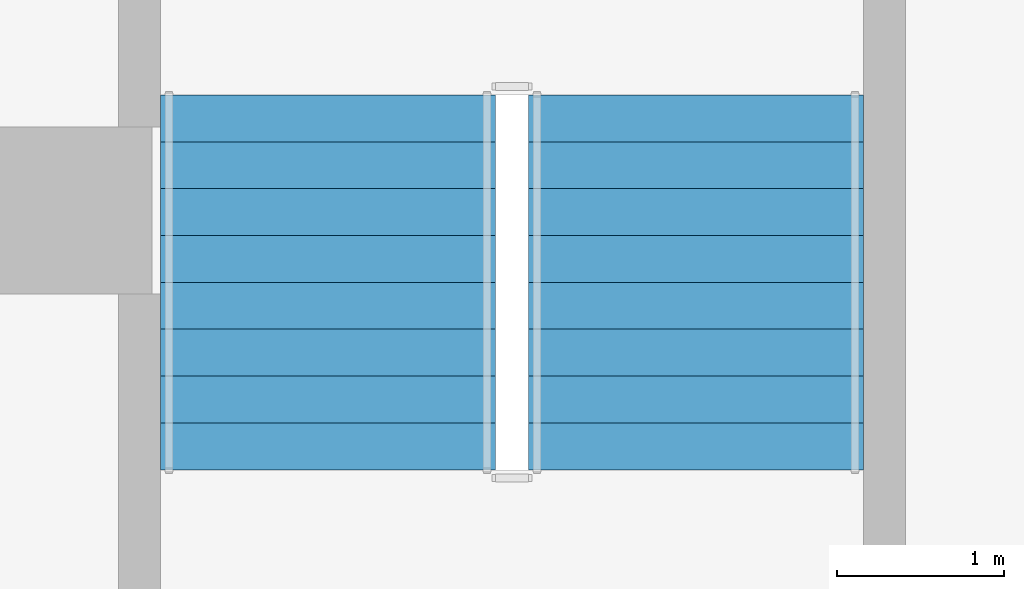
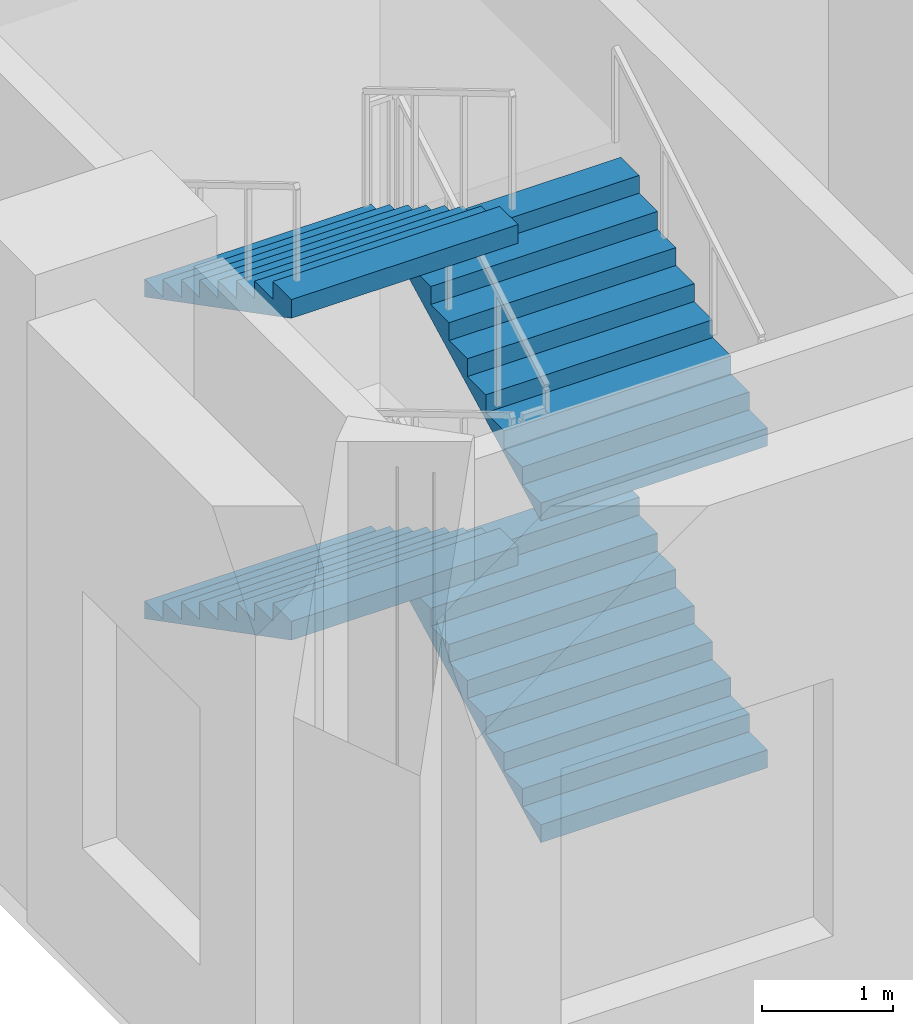
# One storey, part 10 of 19: 4 stair flights, 1 element without a shape of its own.
"""IFC4 building model written with IfcOpenShell, lengths in metres."""

from ifc_helpers import new_model, si_unit, direction, frame, origin, place, context, subcontext, project, spatial, triangles, material, type_object, element, aggregate, save


model = new_model("IFC4")

# Units and contexts
model_context = context("Model", 3, precision=1e-05, world=origin(), true_north=direction((0.0, 1.0)))
body_context = subcontext(model_context, "Body", "Model", "MODEL_VIEW")
ifc_project = project(units=[si_unit("LENGTHUNIT", "METRE"), si_unit("AREAUNIT", "SQUARE_METRE"), si_unit("VOLUMEUNIT", "CUBIC_METRE"), si_unit("PLANEANGLEUNIT", "RADIAN"), si_unit("MASSUNIT", "GRAM", prefix="KILO")], contexts=[model_context])

# Site, building, storey
site_placement = place(None, origin())
site = spatial("IfcSite", under=ifc_project, at=site_placement, CompositionType="ELEMENT")
building_placement = place(site_placement, origin())
building = spatial("IfcBuilding", under=site, at=building_placement, Name="Cypress Arch Tower", CompositionType="ELEMENT")
storey_placement = place(building_placement, frame((0.0, 0.0, 44.0)))
storey = spatial("IfcBuildingStorey", under=building, at=storey_placement, Name="L05", CompositionType="ELEMENT", Elevation=44.0)

# Stair, stair flights
ifc_material_1 = material(Name="Concrete C40/50", Category="concrete")
stair_type = type_object("IfcStairType", Name="Exit stair ES1667-200", PredefinedType="HALF_TURN_STAIR", material=ifc_material_1)
stair_placement = place(storey_placement, origin())
stair = element("IfcStair", 1, at=stair_placement, inside=storey, type_object=stair_type, Name="L05 Exit stair P1", PredefinedType="HALF_TURN_STAIR")
ifc_material_2 = material(Name="Concrete C40/50", Category="concrete")
stair_flight_type = type_object("IfcStairFlightType", Name="Exit stair flight ES1667-200", PredefinedType="STRAIGHT", material=ifc_material_2)
stair_flight_1_placement = place(storey_placement, frame((-34.300048828125, -24.050048828125, 0.0), z_axis=(0.0, 0.0, 1.0), x_axis=(0.0, 1.0, 0.0)))
stair_flight_1 = element("IfcStairFlight", 2, at=stair_flight_1_placement, type_object=stair_flight_type, Name="P1 flight 1", NumberOfRisers=9, NumberOfTreads=8, PredefinedType="STRAIGHT", RiserHeight=0.166666667, TreadLength=0.28, context=body_context, shape_type="Tessellation", body=[
    triangles([(0.0, -1.0, 0.0), (0.000244140625, -1.0, 0.0185546875), (0.000244140625, -1.0, 0.037109375), (0.00048828125, -1.0, 0.0556640625), (0.00048828125, -1.0, 0.07421875), (0.00048828125, -1.0, 0.092529296875), (0.00048828125, -1.0, 0.111083984375), (0.000244140625, -1.0, 0.129638671875), (0.000244140625, -1.0, 0.148193359375), (0.0, -1.0, 0.166748046875), (0.280029296875, -1.0, 0.166748046875), (0.280029296875, -1.0, 0.333251953125), (0.56005859375, -1.0, 0.333251953125), (0.56005859375, -1.0, 0.5), (0.840087890625, -1.0, 0.5), (0.840087890625, -1.0, 0.666748046875), (1.1201171875, -1.0, 0.666748046875), (1.1201171875, -1.0, 0.833251953125), (1.39990234375, -1.0, 0.833251953125), (1.39990234375, -1.0, 1.0), (1.679931640625, -1.0, 1.0), (1.679931640625, -1.0, 1.166748046875), (1.9599609375, -1.0, 1.166748046875), (1.9599609375, -1.0, 1.333251953125), (2.239990234375, -1.0, 1.333251953125), (2.23974609375, -1.0, 1.31396484375), (2.23974609375, -1.0, 1.29443359375), (2.239501953125, -1.0, 1.275146484375), (2.239501953125, -1.0, 1.255859375), (2.239501953125, -1.0, 1.236328125), (2.239501953125, -1.0, 1.217041015625), (2.23974609375, -1.0, 1.19775390625), (2.23974609375, -1.0, 1.17822265625), (2.239990234375, -1.0, 1.158935546875), (2.239990234375, 1.0, 1.158935546875), (2.23974609375, 1.0, 1.17822265625), (2.23974609375, 1.0, 1.19775390625), (2.239501953125, 1.0, 1.217041015625), (2.239501953125, 1.0, 1.236328125), (2.239501953125, 1.0, 1.255859375), (2.239501953125, 1.0, 1.275146484375), (2.23974609375, 1.0, 1.29443359375), (2.23974609375, 1.0, 1.31396484375), (2.239990234375, 1.0, 1.333251953125), (1.9599609375, 1.0, 1.333251953125), (1.9599609375, 1.0, 1.166748046875), (1.679931640625, 1.0, 1.166748046875), (1.679931640625, 1.0, 1.0), (1.39990234375, 1.0, 1.0), (1.39990234375, 1.0, 0.833251953125), (1.1201171875, 1.0, 0.833251953125), (1.1201171875, 1.0, 0.666748046875), (0.840087890625, 1.0, 0.666748046875), (0.840087890625, 1.0, 0.5), (0.56005859375, 1.0, 0.5), (0.56005859375, 1.0, 0.333251953125), (0.280029296875, 1.0, 0.333251953125), (0.280029296875, 1.0, 0.166748046875), (0.0, 1.0, 0.166748046875), (0.000244140625, 1.0, 0.148193359375), (0.000244140625, 1.0, 0.129638671875), (0.00048828125, 1.0, 0.111083984375), (0.00048828125, 1.0, 0.092529296875), (0.00048828125, 1.0, 0.07421875), (0.00048828125, 1.0, 0.0556640625), (0.000244140625, 1.0, 0.037109375), (0.000244140625, 1.0, 0.0185546875), (0.0, 1.0, 0.0), (2.23974609375, 0.0, 1.17822265625), (2.239990234375, 0.0, 1.158935546875), (2.23974609375, 0.0, 1.19775390625), (2.239501953125, 0.0, 1.217041015625), (2.239501953125, 0.0, 1.236328125), (2.239501953125, 0.0, 1.255859375), (2.239501953125, 0.0, 1.275146484375), (2.23974609375, 0.0, 1.29443359375), (2.23974609375, 0.0, 1.31396484375), (2.239990234375, 0.0, 1.333251953125), (1.9599609375, 0.0, 1.333251953125), (1.9599609375, 0.0, 1.166748046875), (1.679931640625, 0.0, 1.166748046875), (1.679931640625, 0.0, 1.0), (1.39990234375, 0.0, 1.0), (1.39990234375, 0.0, 0.833251953125), (1.1201171875, 0.0, 0.833251953125), (1.1201171875, 0.0, 0.666748046875), (0.840087890625, 0.0, 0.666748046875), (0.840087890625, 0.0, 0.5), (0.56005859375, 0.0, 0.5), (0.56005859375, 0.0, 0.333251953125), (0.280029296875, 0.0, 0.333251953125), (0.280029296875, 0.0, 0.166748046875), (0.0, 0.0, 0.166748046875), (0.000244140625, 0.0, 0.148193359375), (0.000244140625, 0.0, 0.129638671875), (0.00048828125, 0.0, 0.111083984375), (0.00048828125, 0.0, 0.092529296875), (0.00048828125, 0.0, 0.07421875), (0.00048828125, 0.0, 0.0556640625), (0.000244140625, 0.0, 0.037109375), (0.000244140625, 0.0, 0.0185546875), (0.0, 0.0, 0.0)], [[34, 33, 24], [33, 32, 24], [32, 31, 24], [31, 30, 24], [30, 29, 24], [29, 28, 24], [28, 27, 24], [27, 26, 24], [26, 25, 24], [23, 22, 21], [21, 20, 19], [17, 16, 15], [15, 14, 13], [10, 9, 11], [9, 8, 11], [8, 7, 11], [7, 6, 11], [6, 5, 11], [5, 4, 11], [4, 3, 11], [3, 2, 11], [2, 1, 11], [19, 18, 17], [13, 12, 11], [34, 24, 23], [34, 23, 21], [34, 21, 19], [34, 19, 17], [34, 17, 15], [34, 15, 13], [1, 34, 13], [13, 11, 1], [35, 45, 36], [36, 45, 37], [37, 45, 38], [38, 45, 39], [39, 45, 40], [40, 45, 41], [41, 45, 42], [42, 45, 43], [43, 45, 44], [46, 48, 47], [48, 50, 49], [52, 54, 53], [54, 56, 55], [59, 58, 60], [60, 58, 61], [61, 58, 62], [62, 58, 63], [63, 58, 64], [64, 58, 65], [65, 58, 66], [66, 58, 67], [67, 58, 68], [50, 52, 51], [56, 58, 57], [35, 46, 45], [35, 48, 46], [35, 50, 48], [35, 52, 50], [35, 54, 52], [35, 56, 54], [68, 56, 35], [56, 68, 58], [70, 69, 33], [70, 33, 34], [35, 36, 69], [35, 69, 70], [69, 71, 32], [69, 32, 33], [36, 37, 71], [36, 71, 69], [71, 72, 31], [71, 31, 32], [37, 38, 72], [37, 72, 71], [72, 73, 30], [72, 30, 31], [38, 39, 73], [38, 73, 72], [73, 74, 29], [73, 29, 30], [39, 40, 74], [39, 74, 73], [74, 75, 28], [74, 28, 29], [40, 41, 75], [40, 75, 74], [75, 76, 27], [75, 27, 28], [41, 42, 76], [41, 76, 75], [76, 77, 26], [76, 26, 27], [42, 43, 77], [42, 77, 76], [77, 78, 25], [77, 25, 26], [43, 44, 78], [43, 78, 77], [78, 79, 24], [78, 24, 25], [44, 45, 79], [44, 79, 78], [79, 80, 23], [79, 23, 24], [45, 46, 80], [45, 80, 79], [80, 81, 22], [80, 22, 23], [46, 47, 81], [46, 81, 80], [81, 82, 21], [81, 21, 22], [47, 48, 82], [47, 82, 81], [82, 83, 20], [82, 20, 21], [48, 49, 83], [48, 83, 82], [83, 84, 19], [83, 19, 20], [49, 50, 84], [49, 84, 83], [84, 85, 18], [84, 18, 19], [50, 51, 85], [50, 85, 84], [85, 86, 17], [85, 17, 18], [51, 52, 86], [51, 86, 85], [86, 87, 16], [86, 16, 17], [52, 53, 87], [52, 87, 86], [87, 88, 15], [87, 15, 16], [53, 54, 88], [53, 88, 87], [88, 89, 14], [88, 14, 15], [54, 55, 89], [54, 89, 88], [89, 90, 13], [89, 13, 14], [55, 56, 90], [55, 90, 89], [90, 91, 12], [90, 12, 13], [56, 57, 91], [56, 91, 90], [91, 92, 11], [91, 11, 12], [57, 58, 92], [57, 92, 91], [92, 93, 10], [92, 10, 11], [58, 59, 93], [58, 93, 92], [93, 94, 9], [93, 9, 10], [59, 60, 94], [59, 94, 93], [94, 95, 8], [94, 8, 9], [60, 61, 95], [60, 95, 94], [95, 96, 7], [95, 7, 8], [61, 62, 96], [61, 96, 95], [96, 97, 6], [96, 6, 7], [62, 63, 97], [62, 97, 96], [97, 98, 5], [97, 5, 6], [63, 64, 98], [63, 98, 97], [98, 99, 4], [98, 4, 5], [64, 65, 99], [64, 99, 98], [99, 100, 3], [99, 3, 4], [65, 66, 100], [65, 100, 99], [100, 101, 2], [100, 2, 3], [66, 67, 101], [66, 101, 100], [101, 102, 1], [101, 1, 2], [67, 68, 102], [67, 102, 101], [102, 70, 34], [102, 34, 1], [68, 35, 70], [68, 70, 102]], closed=True),
])
stair_flight_2_placement = place(storey_placement, frame((-36.5, -21.81005859375, 1.5), z_axis=(0.0, 0.0, 1.0), x_axis=(0.0, -1.0, 0.0)))
stair_flight_2 = element("IfcStairFlight", 3, at=stair_flight_2_placement, type_object=stair_flight_type, Name="P1 flight 2", NumberOfRisers=9, NumberOfTreads=8, PredefinedType="STRAIGHT", RiserHeight=0.166666667, TreadLength=0.28, context=body_context, shape_type="Tessellation", body=[
    triangles([(0.0, -1.0, 0.0), (0.000244140625, -1.0, 0.0185546875), (0.000244140625, -1.0, 0.037109375), (0.00048828125, -1.0, 0.0556640625), (0.00048828125, -1.0, 0.07421875), (0.00048828125, -1.0, 0.092529296875), (0.00048828125, -1.0, 0.111083984375), (0.000244140625, -1.0, 0.129638671875), (0.000244140625, -1.0, 0.148193359375), (0.0, -1.0, 0.166748046875), (0.280029296875, -1.0, 0.166748046875), (0.280029296875, -1.0, 0.333251953125), (0.56005859375, -1.0, 0.333251953125), (0.56005859375, -1.0, 0.5), (0.840087890625, -1.0, 0.5), (0.840087890625, -1.0, 0.666748046875), (1.1201171875, -1.0, 0.666748046875), (1.1201171875, -1.0, 0.833251953125), (1.39990234375, -1.0, 0.833251953125), (1.39990234375, -1.0, 1.0), (1.679931640625, -1.0, 1.0), (1.679931640625, -1.0, 1.166748046875), (1.9599609375, -1.0, 1.166748046875), (1.9599609375, -1.0, 1.333251953125), (2.239990234375, -1.0, 1.333251953125), (2.23974609375, -1.0, 1.31396484375), (2.23974609375, -1.0, 1.29443359375), (2.239501953125, -1.0, 1.275146484375), (2.239501953125, -1.0, 1.255859375), (2.239501953125, -1.0, 1.236328125), (2.239501953125, -1.0, 1.217041015625), (2.23974609375, -1.0, 1.19775390625), (2.23974609375, -1.0, 1.17822265625), (2.239990234375, -1.0, 1.158935546875), (2.239990234375, 1.0, 1.158935546875), (2.23974609375, 1.0, 1.17822265625), (2.23974609375, 1.0, 1.19775390625), (2.239501953125, 1.0, 1.217041015625), (2.239501953125, 1.0, 1.236328125), (2.239501953125, 1.0, 1.255859375), (2.239501953125, 1.0, 1.275146484375), (2.23974609375, 1.0, 1.29443359375), (2.23974609375, 1.0, 1.31396484375), (2.239990234375, 1.0, 1.333251953125), (1.9599609375, 1.0, 1.333251953125), (1.9599609375, 1.0, 1.166748046875), (1.679931640625, 1.0, 1.166748046875), (1.679931640625, 1.0, 1.0), (1.39990234375, 1.0, 1.0), (1.39990234375, 1.0, 0.833251953125), (1.1201171875, 1.0, 0.833251953125), (1.1201171875, 1.0, 0.666748046875), (0.840087890625, 1.0, 0.666748046875), (0.840087890625, 1.0, 0.5), (0.56005859375, 1.0, 0.5), (0.56005859375, 1.0, 0.333251953125), (0.280029296875, 1.0, 0.333251953125), (0.280029296875, 1.0, 0.166748046875), (0.0, 1.0, 0.166748046875), (0.000244140625, 1.0, 0.148193359375), (0.000244140625, 1.0, 0.129638671875), (0.00048828125, 1.0, 0.111083984375), (0.00048828125, 1.0, 0.092529296875), (0.00048828125, 1.0, 0.07421875), (0.00048828125, 1.0, 0.0556640625), (0.000244140625, 1.0, 0.037109375), (0.000244140625, 1.0, 0.0185546875), (0.0, 1.0, 0.0), (2.23974609375, 0.0, 1.17822265625), (2.239990234375, 0.0, 1.158935546875), (2.23974609375, 0.0, 1.19775390625), (2.239501953125, 0.0, 1.217041015625), (2.239501953125, 0.0, 1.236328125), (2.239501953125, 0.0, 1.255859375), (2.239501953125, 0.0, 1.275146484375), (2.23974609375, 0.0, 1.29443359375), (2.23974609375, 0.0, 1.31396484375), (2.239990234375, 0.0, 1.333251953125), (1.9599609375, 0.0, 1.333251953125), (1.9599609375, 0.0, 1.166748046875), (1.679931640625, 0.0, 1.166748046875), (1.679931640625, 0.0, 1.0), (1.39990234375, 0.0, 1.0), (1.39990234375, 0.0, 0.833251953125), (1.1201171875, 0.0, 0.833251953125), (1.1201171875, 0.0, 0.666748046875), (0.840087890625, 0.0, 0.666748046875), (0.840087890625, 0.0, 0.5), (0.56005859375, 0.0, 0.5), (0.56005859375, 0.0, 0.333251953125), (0.280029296875, 0.0, 0.333251953125), (0.280029296875, 0.0, 0.166748046875), (0.0, 0.0, 0.166748046875), (0.000244140625, 0.0, 0.148193359375), (0.000244140625, 0.0, 0.129638671875), (0.00048828125, 0.0, 0.111083984375), (0.00048828125, 0.0, 0.092529296875), (0.00048828125, 0.0, 0.07421875), (0.00048828125, 0.0, 0.0556640625), (0.000244140625, 0.0, 0.037109375), (0.000244140625, 0.0, 0.0185546875), (0.0, 0.0, 0.0)], [[34, 33, 24], [33, 32, 24], [32, 31, 24], [31, 30, 24], [30, 29, 24], [29, 28, 24], [28, 27, 24], [27, 26, 24], [26, 25, 24], [23, 22, 21], [21, 20, 19], [17, 16, 15], [15, 14, 13], [10, 9, 11], [9, 8, 11], [8, 7, 11], [7, 6, 11], [6, 5, 11], [5, 4, 11], [4, 3, 11], [3, 2, 11], [2, 1, 11], [19, 18, 17], [13, 12, 11], [34, 24, 23], [34, 23, 21], [34, 21, 19], [34, 19, 17], [34, 17, 15], [34, 15, 13], [1, 34, 13], [13, 11, 1], [35, 45, 36], [36, 45, 37], [37, 45, 38], [38, 45, 39], [39, 45, 40], [40, 45, 41], [41, 45, 42], [42, 45, 43], [43, 45, 44], [46, 48, 47], [48, 50, 49], [52, 54, 53], [54, 56, 55], [59, 58, 60], [60, 58, 61], [61, 58, 62], [62, 58, 63], [63, 58, 64], [64, 58, 65], [65, 58, 66], [66, 58, 67], [67, 58, 68], [50, 52, 51], [56, 58, 57], [35, 46, 45], [35, 48, 46], [35, 50, 48], [35, 52, 50], [35, 54, 52], [35, 56, 54], [68, 56, 35], [56, 68, 58], [70, 69, 33], [70, 33, 34], [35, 36, 69], [35, 69, 70], [69, 71, 32], [69, 32, 33], [36, 37, 71], [36, 71, 69], [71, 72, 31], [71, 31, 32], [37, 38, 72], [37, 72, 71], [72, 73, 30], [72, 30, 31], [38, 39, 73], [38, 73, 72], [73, 74, 29], [73, 29, 30], [39, 40, 74], [39, 74, 73], [74, 75, 28], [74, 28, 29], [40, 41, 75], [40, 75, 74], [75, 76, 27], [75, 27, 28], [41, 42, 76], [41, 76, 75], [76, 77, 26], [76, 26, 27], [42, 43, 77], [42, 77, 76], [77, 78, 25], [77, 25, 26], [43, 44, 78], [43, 78, 77], [78, 79, 24], [78, 24, 25], [44, 45, 79], [44, 79, 78], [79, 80, 23], [79, 23, 24], [45, 46, 80], [45, 80, 79], [80, 81, 22], [80, 22, 23], [46, 47, 81], [46, 81, 80], [81, 82, 21], [81, 21, 22], [47, 48, 82], [47, 82, 81], [82, 83, 20], [82, 20, 21], [48, 49, 83], [48, 83, 82], [83, 84, 19], [83, 19, 20], [49, 50, 84], [49, 84, 83], [84, 85, 18], [84, 18, 19], [50, 51, 85], [50, 85, 84], [85, 86, 17], [85, 17, 18], [51, 52, 86], [51, 86, 85], [86, 87, 16], [86, 16, 17], [52, 53, 87], [52, 87, 86], [87, 88, 15], [87, 15, 16], [53, 54, 88], [53, 88, 87], [88, 89, 14], [88, 14, 15], [54, 55, 89], [54, 89, 88], [89, 90, 13], [89, 13, 14], [55, 56, 90], [55, 90, 89], [90, 91, 12], [90, 12, 13], [56, 57, 91], [56, 91, 90], [91, 92, 11], [91, 11, 12], [57, 58, 92], [57, 92, 91], [92, 93, 10], [92, 10, 11], [58, 59, 93], [58, 93, 92], [93, 94, 9], [93, 9, 10], [59, 60, 94], [59, 94, 93], [94, 95, 8], [94, 8, 9], [60, 61, 95], [60, 95, 94], [95, 96, 7], [95, 7, 8], [61, 62, 96], [61, 96, 95], [96, 97, 6], [96, 6, 7], [62, 63, 97], [62, 97, 96], [97, 98, 5], [97, 5, 6], [63, 64, 98], [63, 98, 97], [98, 99, 4], [98, 4, 5], [64, 65, 99], [64, 99, 98], [99, 100, 3], [99, 3, 4], [65, 66, 100], [65, 100, 99], [100, 101, 2], [100, 2, 3], [66, 67, 101], [66, 101, 100], [101, 102, 1], [101, 1, 2], [67, 68, 102], [67, 102, 101], [102, 70, 34], [102, 34, 1], [68, 35, 70], [68, 70, 102]], closed=True),
])
stair_flight_3_placement = place(storey_placement, frame((-34.300048828125, -24.050048828125, 3.0), z_axis=(0.0, 0.0, 1.0), x_axis=(0.0, 1.0, 0.0)))
stair_flight_3 = element("IfcStairFlight", 4, at=stair_flight_3_placement, type_object=stair_flight_type, Name="P1 flight 3", NumberOfRisers=9, NumberOfTreads=8, PredefinedType="STRAIGHT", RiserHeight=0.166666667, TreadLength=0.28, context=body_context, shape_type="Tessellation", body=[
    triangles([(0.0, -1.0, 0.0), (0.000244140625, -1.0, 0.0185546875), (0.000244140625, -1.0, 0.037109375), (0.00048828125, -1.0, 0.0556640625), (0.00048828125, -1.0, 0.07421875), (0.00048828125, -1.0, 0.092529296875), (0.00048828125, -1.0, 0.111083984375), (0.000244140625, -1.0, 0.129638671875), (0.000244140625, -1.0, 0.148193359375), (0.0, -1.0, 0.166748046875), (0.280029296875, -1.0, 0.166748046875), (0.280029296875, -1.0, 0.333251953125), (0.56005859375, -1.0, 0.333251953125), (0.56005859375, -1.0, 0.5), (0.840087890625, -1.0, 0.5), (0.840087890625, -1.0, 0.666748046875), (1.1201171875, -1.0, 0.666748046875), (1.1201171875, -1.0, 0.833251953125), (1.39990234375, -1.0, 0.833251953125), (1.39990234375, -1.0, 1.0), (1.679931640625, -1.0, 1.0), (1.679931640625, -1.0, 1.166748046875), (1.9599609375, -1.0, 1.166748046875), (1.9599609375, -1.0, 1.333251953125), (2.239990234375, -1.0, 1.333251953125), (2.23974609375, -1.0, 1.31396484375), (2.23974609375, -1.0, 1.29443359375), (2.239501953125, -1.0, 1.275146484375), (2.239501953125, -1.0, 1.255859375), (2.239501953125, -1.0, 1.236328125), (2.239501953125, -1.0, 1.217041015625), (2.23974609375, -1.0, 1.19775390625), (2.23974609375, -1.0, 1.17822265625), (2.239990234375, -1.0, 1.158935546875), (2.239990234375, 1.0, 1.158935546875), (2.23974609375, 1.0, 1.17822265625), (2.23974609375, 1.0, 1.19775390625), (2.239501953125, 1.0, 1.217041015625), (2.239501953125, 1.0, 1.236328125), (2.239501953125, 1.0, 1.255859375), (2.239501953125, 1.0, 1.275146484375), (2.23974609375, 1.0, 1.29443359375), (2.23974609375, 1.0, 1.31396484375), (2.239990234375, 1.0, 1.333251953125), (1.9599609375, 1.0, 1.333251953125), (1.9599609375, 1.0, 1.166748046875), (1.679931640625, 1.0, 1.166748046875), (1.679931640625, 1.0, 1.0), (1.39990234375, 1.0, 1.0), (1.39990234375, 1.0, 0.833251953125), (1.1201171875, 1.0, 0.833251953125), (1.1201171875, 1.0, 0.666748046875), (0.840087890625, 1.0, 0.666748046875), (0.840087890625, 1.0, 0.5), (0.56005859375, 1.0, 0.5), (0.56005859375, 1.0, 0.333251953125), (0.280029296875, 1.0, 0.333251953125), (0.280029296875, 1.0, 0.166748046875), (0.0, 1.0, 0.166748046875), (0.000244140625, 1.0, 0.148193359375), (0.000244140625, 1.0, 0.129638671875), (0.00048828125, 1.0, 0.111083984375), (0.00048828125, 1.0, 0.092529296875), (0.00048828125, 1.0, 0.07421875), (0.00048828125, 1.0, 0.0556640625), (0.000244140625, 1.0, 0.037109375), (0.000244140625, 1.0, 0.0185546875), (0.0, 1.0, 0.0), (2.23974609375, 0.0, 1.17822265625), (2.239990234375, 0.0, 1.158935546875), (2.23974609375, 0.0, 1.19775390625), (2.239501953125, 0.0, 1.217041015625), (2.239501953125, 0.0, 1.236328125), (2.239501953125, 0.0, 1.255859375), (2.239501953125, 0.0, 1.275146484375), (2.23974609375, 0.0, 1.29443359375), (2.23974609375, 0.0, 1.31396484375), (2.239990234375, 0.0, 1.333251953125), (1.9599609375, 0.0, 1.333251953125), (1.9599609375, 0.0, 1.166748046875), (1.679931640625, 0.0, 1.166748046875), (1.679931640625, 0.0, 1.0), (1.39990234375, 0.0, 1.0), (1.39990234375, 0.0, 0.833251953125), (1.1201171875, 0.0, 0.833251953125), (1.1201171875, 0.0, 0.666748046875), (0.840087890625, 0.0, 0.666748046875), (0.840087890625, 0.0, 0.5), (0.56005859375, 0.0, 0.5), (0.56005859375, 0.0, 0.333251953125), (0.280029296875, 0.0, 0.333251953125), (0.280029296875, 0.0, 0.166748046875), (0.0, 0.0, 0.166748046875), (0.000244140625, 0.0, 0.148193359375), (0.000244140625, 0.0, 0.129638671875), (0.00048828125, 0.0, 0.111083984375), (0.00048828125, 0.0, 0.092529296875), (0.00048828125, 0.0, 0.07421875), (0.00048828125, 0.0, 0.0556640625), (0.000244140625, 0.0, 0.037109375), (0.000244140625, 0.0, 0.0185546875), (0.0, 0.0, 0.0)], [[34, 33, 24], [33, 32, 24], [32, 31, 24], [31, 30, 24], [30, 29, 24], [29, 28, 24], [28, 27, 24], [27, 26, 24], [26, 25, 24], [23, 22, 21], [21, 20, 19], [17, 16, 15], [15, 14, 13], [10, 9, 11], [9, 8, 11], [8, 7, 11], [7, 6, 11], [6, 5, 11], [5, 4, 11], [4, 3, 11], [3, 2, 11], [2, 1, 11], [19, 18, 17], [13, 12, 11], [34, 24, 23], [34, 23, 21], [34, 21, 19], [34, 19, 17], [34, 17, 15], [34, 15, 13], [1, 34, 13], [13, 11, 1], [35, 45, 36], [36, 45, 37], [37, 45, 38], [38, 45, 39], [39, 45, 40], [40, 45, 41], [41, 45, 42], [42, 45, 43], [43, 45, 44], [46, 48, 47], [48, 50, 49], [52, 54, 53], [54, 56, 55], [59, 58, 60], [60, 58, 61], [61, 58, 62], [62, 58, 63], [63, 58, 64], [64, 58, 65], [65, 58, 66], [66, 58, 67], [67, 58, 68], [50, 52, 51], [56, 58, 57], [35, 46, 45], [35, 48, 46], [35, 50, 48], [35, 52, 50], [35, 54, 52], [35, 56, 54], [68, 56, 35], [56, 68, 58], [70, 69, 33], [70, 33, 34], [35, 36, 69], [35, 69, 70], [69, 71, 32], [69, 32, 33], [36, 37, 71], [36, 71, 69], [71, 72, 31], [71, 31, 32], [37, 38, 72], [37, 72, 71], [72, 73, 30], [72, 30, 31], [38, 39, 73], [38, 73, 72], [73, 74, 29], [73, 29, 30], [39, 40, 74], [39, 74, 73], [74, 75, 28], [74, 28, 29], [40, 41, 75], [40, 75, 74], [75, 76, 27], [75, 27, 28], [41, 42, 76], [41, 76, 75], [76, 77, 26], [76, 26, 27], [42, 43, 77], [42, 77, 76], [77, 78, 25], [77, 25, 26], [43, 44, 78], [43, 78, 77], [78, 79, 24], [78, 24, 25], [44, 45, 79], [44, 79, 78], [79, 80, 23], [79, 23, 24], [45, 46, 80], [45, 80, 79], [80, 81, 22], [80, 22, 23], [46, 47, 81], [46, 81, 80], [81, 82, 21], [81, 21, 22], [47, 48, 82], [47, 82, 81], [82, 83, 20], [82, 20, 21], [48, 49, 83], [48, 83, 82], [83, 84, 19], [83, 19, 20], [49, 50, 84], [49, 84, 83], [84, 85, 18], [84, 18, 19], [50, 51, 85], [50, 85, 84], [85, 86, 17], [85, 17, 18], [51, 52, 86], [51, 86, 85], [86, 87, 16], [86, 16, 17], [52, 53, 87], [52, 87, 86], [87, 88, 15], [87, 15, 16], [53, 54, 88], [53, 88, 87], [88, 89, 14], [88, 14, 15], [54, 55, 89], [54, 89, 88], [89, 90, 13], [89, 13, 14], [55, 56, 90], [55, 90, 89], [90, 91, 12], [90, 12, 13], [56, 57, 91], [56, 91, 90], [91, 92, 11], [91, 11, 12], [57, 58, 92], [57, 92, 91], [92, 93, 10], [92, 10, 11], [58, 59, 93], [58, 93, 92], [93, 94, 9], [93, 9, 10], [59, 60, 94], [59, 94, 93], [94, 95, 8], [94, 8, 9], [60, 61, 95], [60, 95, 94], [95, 96, 7], [95, 7, 8], [61, 62, 96], [61, 96, 95], [96, 97, 6], [96, 6, 7], [62, 63, 97], [62, 97, 96], [97, 98, 5], [97, 5, 6], [63, 64, 98], [63, 98, 97], [98, 99, 4], [98, 4, 5], [64, 65, 99], [64, 99, 98], [99, 100, 3], [99, 3, 4], [65, 66, 100], [65, 100, 99], [100, 101, 2], [100, 2, 3], [66, 67, 101], [66, 101, 100], [101, 102, 1], [101, 1, 2], [67, 68, 102], [67, 102, 101], [102, 70, 34], [102, 34, 1], [68, 35, 70], [68, 70, 102]], closed=True),
])
stair_flight_4_placement = place(storey_placement, frame((-36.5, -21.81005859375, 4.5), z_axis=(0.0, 0.0, 1.0), x_axis=(0.0, -1.0, 0.0)))
stair_flight_4 = element("IfcStairFlight", 5, at=stair_flight_4_placement, type_object=stair_flight_type, Name="P1 flight 4", NumberOfRisers=9, NumberOfTreads=8, PredefinedType="STRAIGHT", RiserHeight=0.166666667, TreadLength=0.28, context=body_context, shape_type="Tessellation", body=[
    triangles([(0.0, -1.0, 0.0), (0.000244140625, -1.0, 0.0185546875), (0.000244140625, -1.0, 0.037109375), (0.00048828125, -1.0, 0.0556640625), (0.00048828125, -1.0, 0.07421875), (0.00048828125, -1.0, 0.092529296875), (0.00048828125, -1.0, 0.111083984375), (0.000244140625, -1.0, 0.129638671875), (0.000244140625, -1.0, 0.148193359375), (0.0, -1.0, 0.166748046875), (0.280029296875, -1.0, 0.166748046875), (0.280029296875, -1.0, 0.333251953125), (0.56005859375, -1.0, 0.333251953125), (0.56005859375, -1.0, 0.5), (0.840087890625, -1.0, 0.5), (0.840087890625, -1.0, 0.666748046875), (1.1201171875, -1.0, 0.666748046875), (1.1201171875, -1.0, 0.833251953125), (1.39990234375, -1.0, 0.833251953125), (1.39990234375, -1.0, 1.0), (1.679931640625, -1.0, 1.0), (1.679931640625, -1.0, 1.166748046875), (1.9599609375, -1.0, 1.166748046875), (1.9599609375, -1.0, 1.333251953125), (2.239990234375, -1.0, 1.333251953125), (2.23974609375, -1.0, 1.31396484375), (2.23974609375, -1.0, 1.29443359375), (2.239501953125, -1.0, 1.275146484375), (2.239501953125, -1.0, 1.255859375), (2.239501953125, -1.0, 1.236328125), (2.239501953125, -1.0, 1.217041015625), (2.23974609375, -1.0, 1.19775390625), (2.23974609375, -1.0, 1.17822265625), (2.239990234375, -1.0, 1.158935546875), (2.239990234375, 1.0, 1.158935546875), (2.23974609375, 1.0, 1.17822265625), (2.23974609375, 1.0, 1.19775390625), (2.239501953125, 1.0, 1.217041015625), (2.239501953125, 1.0, 1.236328125), (2.239501953125, 1.0, 1.255859375), (2.239501953125, 1.0, 1.275146484375), (2.23974609375, 1.0, 1.29443359375), (2.23974609375, 1.0, 1.31396484375), (2.239990234375, 1.0, 1.333251953125), (1.9599609375, 1.0, 1.333251953125), (1.9599609375, 1.0, 1.166748046875), (1.679931640625, 1.0, 1.166748046875), (1.679931640625, 1.0, 1.0), (1.39990234375, 1.0, 1.0), (1.39990234375, 1.0, 0.833251953125), (1.1201171875, 1.0, 0.833251953125), (1.1201171875, 1.0, 0.666748046875), (0.840087890625, 1.0, 0.666748046875), (0.840087890625, 1.0, 0.5), (0.56005859375, 1.0, 0.5), (0.56005859375, 1.0, 0.333251953125), (0.280029296875, 1.0, 0.333251953125), (0.280029296875, 1.0, 0.166748046875), (0.0, 1.0, 0.166748046875), (0.000244140625, 1.0, 0.148193359375), (0.000244140625, 1.0, 0.129638671875), (0.00048828125, 1.0, 0.111083984375), (0.00048828125, 1.0, 0.092529296875), (0.00048828125, 1.0, 0.07421875), (0.00048828125, 1.0, 0.0556640625), (0.000244140625, 1.0, 0.037109375), (0.000244140625, 1.0, 0.0185546875), (0.0, 1.0, 0.0), (2.23974609375, 0.0, 1.17822265625), (2.239990234375, 0.0, 1.158935546875), (2.23974609375, 0.0, 1.19775390625), (2.239501953125, 0.0, 1.217041015625), (2.239501953125, 0.0, 1.236328125), (2.239501953125, 0.0, 1.255859375), (2.239501953125, 0.0, 1.275146484375), (2.23974609375, 0.0, 1.29443359375), (2.23974609375, 0.0, 1.31396484375), (2.239990234375, 0.0, 1.333251953125), (1.9599609375, 0.0, 1.333251953125), (1.9599609375, 0.0, 1.166748046875), (1.679931640625, 0.0, 1.166748046875), (1.679931640625, 0.0, 1.0), (1.39990234375, 0.0, 1.0), (1.39990234375, 0.0, 0.833251953125), (1.1201171875, 0.0, 0.833251953125), (1.1201171875, 0.0, 0.666748046875), (0.840087890625, 0.0, 0.666748046875), (0.840087890625, 0.0, 0.5), (0.56005859375, 0.0, 0.5), (0.56005859375, 0.0, 0.333251953125), (0.280029296875, 0.0, 0.333251953125), (0.280029296875, 0.0, 0.166748046875), (0.0, 0.0, 0.166748046875), (0.000244140625, 0.0, 0.148193359375), (0.000244140625, 0.0, 0.129638671875), (0.00048828125, 0.0, 0.111083984375), (0.00048828125, 0.0, 0.092529296875), (0.00048828125, 0.0, 0.07421875), (0.00048828125, 0.0, 0.0556640625), (0.000244140625, 0.0, 0.037109375), (0.000244140625, 0.0, 0.0185546875), (0.0, 0.0, 0.0)], [[34, 33, 24], [33, 32, 24], [32, 31, 24], [31, 30, 24], [30, 29, 24], [29, 28, 24], [28, 27, 24], [27, 26, 24], [26, 25, 24], [23, 22, 21], [21, 20, 19], [17, 16, 15], [15, 14, 13], [10, 9, 11], [9, 8, 11], [8, 7, 11], [7, 6, 11], [6, 5, 11], [5, 4, 11], [4, 3, 11], [3, 2, 11], [2, 1, 11], [19, 18, 17], [13, 12, 11], [34, 24, 23], [34, 23, 21], [34, 21, 19], [34, 19, 17], [34, 17, 15], [34, 15, 13], [1, 34, 13], [13, 11, 1], [35, 45, 36], [36, 45, 37], [37, 45, 38], [38, 45, 39], [39, 45, 40], [40, 45, 41], [41, 45, 42], [42, 45, 43], [43, 45, 44], [46, 48, 47], [48, 50, 49], [52, 54, 53], [54, 56, 55], [59, 58, 60], [60, 58, 61], [61, 58, 62], [62, 58, 63], [63, 58, 64], [64, 58, 65], [65, 58, 66], [66, 58, 67], [67, 58, 68], [50, 52, 51], [56, 58, 57], [35, 46, 45], [35, 48, 46], [35, 50, 48], [35, 52, 50], [35, 54, 52], [35, 56, 54], [68, 56, 35], [56, 68, 58], [70, 69, 33], [70, 33, 34], [35, 36, 69], [35, 69, 70], [69, 71, 32], [69, 32, 33], [36, 37, 71], [36, 71, 69], [71, 72, 31], [71, 31, 32], [37, 38, 72], [37, 72, 71], [72, 73, 30], [72, 30, 31], [38, 39, 73], [38, 73, 72], [73, 74, 29], [73, 29, 30], [39, 40, 74], [39, 74, 73], [74, 75, 28], [74, 28, 29], [40, 41, 75], [40, 75, 74], [75, 76, 27], [75, 27, 28], [41, 42, 76], [41, 76, 75], [76, 77, 26], [76, 26, 27], [42, 43, 77], [42, 77, 76], [77, 78, 25], [77, 25, 26], [43, 44, 78], [43, 78, 77], [78, 79, 24], [78, 24, 25], [44, 45, 79], [44, 79, 78], [79, 80, 23], [79, 23, 24], [45, 46, 80], [45, 80, 79], [80, 81, 22], [80, 22, 23], [46, 47, 81], [46, 81, 80], [81, 82, 21], [81, 21, 22], [47, 48, 82], [47, 82, 81], [82, 83, 20], [82, 20, 21], [48, 49, 83], [48, 83, 82], [83, 84, 19], [83, 19, 20], [49, 50, 84], [49, 84, 83], [84, 85, 18], [84, 18, 19], [50, 51, 85], [50, 85, 84], [85, 86, 17], [85, 17, 18], [51, 52, 86], [51, 86, 85], [86, 87, 16], [86, 16, 17], [52, 53, 87], [52, 87, 86], [87, 88, 15], [87, 15, 16], [53, 54, 88], [53, 88, 87], [88, 89, 14], [88, 14, 15], [54, 55, 89], [54, 89, 88], [89, 90, 13], [89, 13, 14], [55, 56, 90], [55, 90, 89], [90, 91, 12], [90, 12, 13], [56, 57, 91], [56, 91, 90], [91, 92, 11], [91, 11, 12], [57, 58, 92], [57, 92, 91], [92, 93, 10], [92, 10, 11], [58, 59, 93], [58, 93, 92], [93, 94, 9], [93, 9, 10], [59, 60, 94], [59, 94, 93], [94, 95, 8], [94, 8, 9], [60, 61, 95], [60, 95, 94], [95, 96, 7], [95, 7, 8], [61, 62, 96], [61, 96, 95], [96, 97, 6], [96, 6, 7], [62, 63, 97], [62, 97, 96], [97, 98, 5], [97, 5, 6], [63, 64, 98], [63, 98, 97], [98, 99, 4], [98, 4, 5], [64, 65, 99], [64, 99, 98], [99, 100, 3], [99, 3, 4], [65, 66, 100], [65, 100, 99], [100, 101, 2], [100, 2, 3], [66, 67, 101], [66, 101, 100], [101, 102, 1], [101, 1, 2], [67, 68, 102], [67, 102, 101], [102, 70, 34], [102, 34, 1], [68, 35, 70], [68, 70, 102]], closed=True),
])
aggregate(stair, [stair_flight_1, stair_flight_2, stair_flight_3, stair_flight_4])

save(model, "model.ifc")
